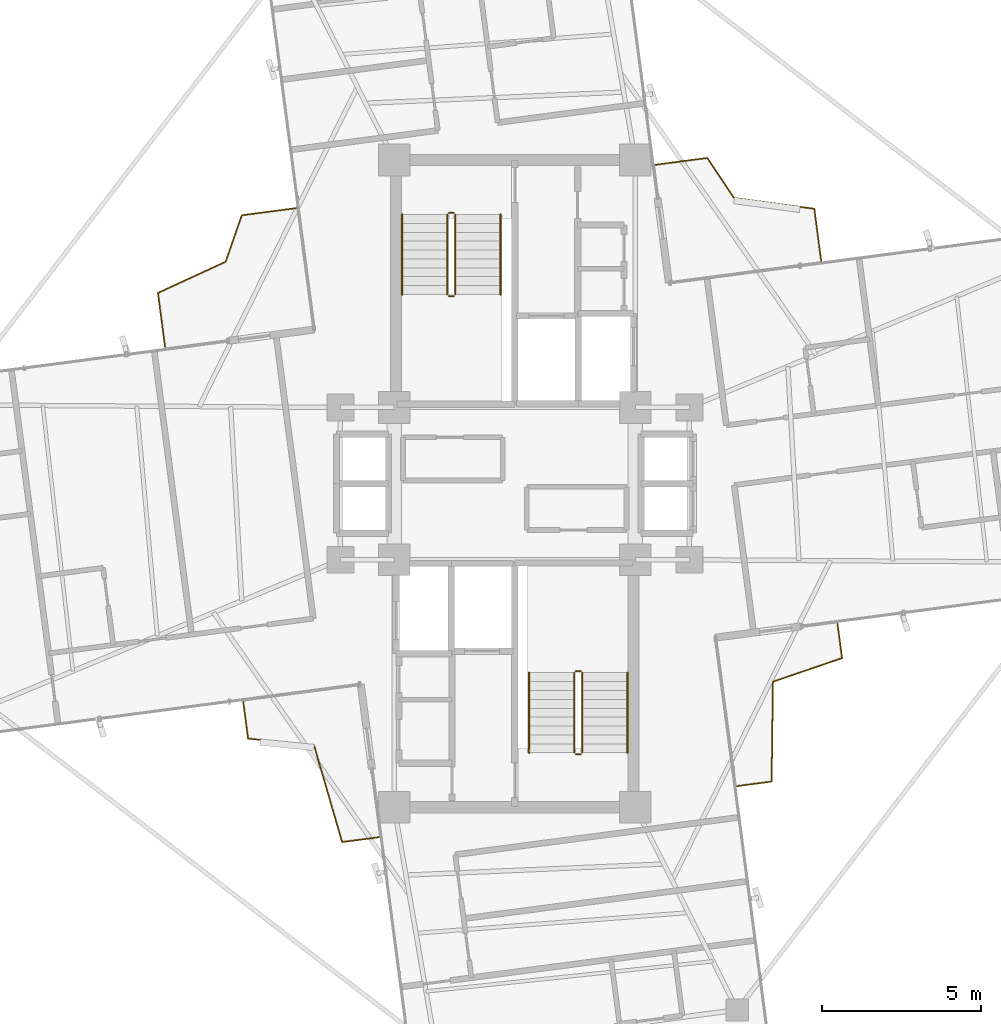
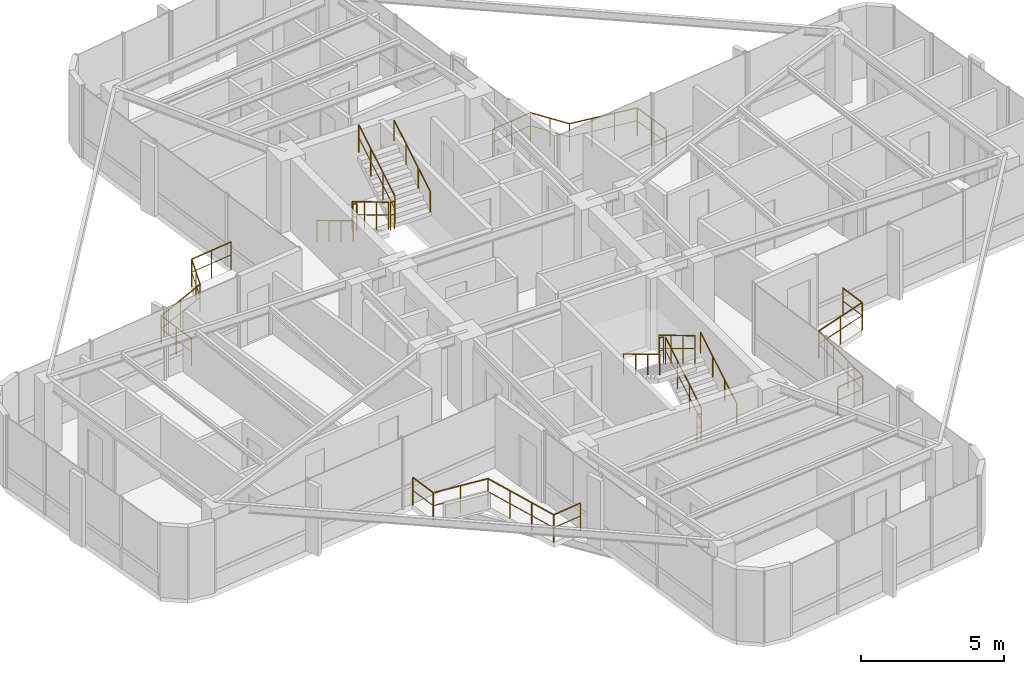
# One storey, part 23 of 23: 16 railings.
"""IFC4 building model written with IfcOpenShell, lengths in metres."""

from ifc_helpers import new_model, si_unit, direction, frame, origin, origin_2d, place, context, subcontext, project, spatial, circle, extrude, material, type_object, element, save


model = new_model("IFC4")

# Units and contexts
model_context = context("Model", 3, precision=1e-05, world=origin(), true_north=direction((0.0, 1.0)))
body_context = subcontext(model_context, "Body", "Model", "MODEL_VIEW")
ifc_project = project(units=[si_unit("LENGTHUNIT", "METRE"), si_unit("AREAUNIT", "SQUARE_METRE"), si_unit("VOLUMEUNIT", "CUBIC_METRE"), si_unit("PLANEANGLEUNIT", "RADIAN"), si_unit("MASSUNIT", "GRAM", prefix="KILO")], contexts=[model_context])

# Site, building, storey
site_placement = place(None, origin())
site = spatial("IfcSite", under=ifc_project, at=site_placement, CompositionType="ELEMENT")
building_placement = place(site_placement, origin())
building = spatial("IfcBuilding", under=site, at=building_placement, Name="Sahyath Konkavel Grand Hotel", CompositionType="ELEMENT")
storey_placement = place(building_placement, frame((0.0, 0.0, 226.60009765625)))
storey = spatial("IfcBuildingStorey", under=building, at=storey_placement, Name="L63", CompositionType="ELEMENT", Elevation=226.60009765625)

# Railings
ifc_material_1 = material(Name="Anodised Bronze Aluminium", Category="aluminium")
railing_type_1 = type_object("IfcRailingType", Name="RLG-BALC-1200", PredefinedType="GUARDRAIL", material=ifc_material_1)
railing_1_placement = place(storey_placement, frame((9.657470703125, 7.0185546875, 0.0)))
element("IfcRailing", 1, at=railing_1_placement, inside=storey, type_object=railing_type_1, Name="L63 Winter-Garden Guard NE", PredefinedType="GUARDRAIL", context=body_context, shape_type="SweptSolid", body=[
    extrude(circle(Radius=0.02392578125, at=origin_2d()), frame((-0.000244140625, 0.001953125, 1.17578125), z_axis=(-0.130553503913, 0.991441265339, 0.0), x_axis=(-0.991441265339, -0.130553503913, 0.0)), (0.0, 0.0, 1.0), 1.65478515625),
    extrude(circle(Radius=0.01416015625, at=origin_2d()), frame((-0.000244140625, 0.001953125, 0.6240234375), z_axis=(-0.130553503913, 0.991441265339, 0.0), x_axis=(-0.991441265339, -0.130553503913, 0.0)), (0.0, 0.0, 1.0), 1.65478515625),
    extrude(circle(Radius=0.02392578125, at=origin_2d()), frame((-0.218505859375, 1.644775390625, 1.17578125), z_axis=(-0.991061876486, 0.133402987135, 0.0), x_axis=(-0.133402987135, -0.991061876486, 0.0)), (0.0, 0.0, 1.0), 2.55078125),
    extrude(circle(Radius=0.01416015625, at=origin_2d()), frame((-0.218505859375, 1.644775390625, 0.6240234375), z_axis=(-0.991061876486, 0.133402987135, 0.0), x_axis=(-0.133402987135, -0.991061876486, 0.0)), (0.0, 0.0, 1.0), 2.55078125),
    extrude(circle(Radius=0.02392578125, at=origin_2d()), frame((-2.749755859375, 1.987060546875, 1.17578125), z_axis=(-0.554551467532, 0.832149427602, 0.0), x_axis=(-0.832149427602, -0.554551467532, 0.0)), (0.0, 0.0, 1.0), 1.51123046875),
    extrude(circle(Radius=0.01416015625, at=origin_2d()), frame((-2.749755859375, 1.987060546875, 0.6240234375), z_axis=(-0.554551467532, 0.832149427602, 0.0), x_axis=(-0.832149427602, -0.554551467532, 0.0)), (0.0, 0.0, 1.0), 1.51123046875),
    extrude(circle(Radius=0.02392578125, at=origin_2d()), frame((-3.5908203125, 3.24609375, 1.17578125), z_axis=(-0.991438756128, -0.130572557786, 0.0), x_axis=(0.130572557786, -0.991438756128, 0.0)), (0.0, 0.0, 1.0), 1.654541015625),
    extrude(circle(Radius=0.01416015625, at=origin_2d()), frame((-3.5908203125, 3.24609375, 0.6240234375), z_axis=(-0.991438756128, -0.130572557786, 0.0), x_axis=(0.130572557786, -0.991438756128, 0.0)), (0.0, 0.0, 1.0), 1.654541015625),
    extrude(circle(Radius=0.02099609375, at=origin_2d()), origin(), (0.0, 0.0, 1.0), 1.15185546875),
    extrude(circle(Radius=0.02099609375, at=origin_2d()), frame((-0.1083984375, 0.822265625, 0.0)), (0.0, 0.0, 1.0), 1.15185546875),
    extrude(circle(Radius=0.02099609375, at=origin_2d()), frame((-0.216552734375, 1.64453125, 0.0)), (0.0, 0.0, 1.0), 1.15185546875),
    extrude(circle(Radius=0.02099609375, at=origin_2d()), frame((-1.060546875, 1.758056640625, 0.0)), (0.0, 0.0, 1.0), 1.15185546875),
    extrude(circle(Radius=0.02099609375, at=origin_2d()), frame((-1.904541015625, 1.871826171875, 0.0)), (0.0, 0.0, 1.0), 1.15185546875),
    extrude(circle(Radius=0.02099609375, at=origin_2d()), frame((-2.74853515625, 1.9853515625, 0.0)), (0.0, 0.0, 1.0), 1.15185546875),
    extrude(circle(Radius=0.02099609375, at=origin_2d()), frame((-3.168701171875, 2.61572265625, 0.0)), (0.0, 0.0, 1.0), 1.15185546875),
    extrude(circle(Radius=0.02099609375, at=origin_2d()), frame((-3.5888671875, 3.246337890625, 0.0)), (0.0, 0.0, 1.0), 1.15185546875),
    extrude(circle(Radius=0.02099609375, at=origin_2d()), frame((-4.4111328125, 3.13818359375, 0.0)), (0.0, 0.0, 1.0), 1.15185546875),
    extrude(circle(Radius=0.02099609375, at=origin_2d()), frame((-5.233154296875, 3.02978515625, 0.0)), (0.0, 0.0, 1.0), 1.15185546875),
])
railing_2_placement = place(storey_placement, frame((-6.890380859375, 8.683837890625, 0.0)))
element("IfcRailing", 2, at=railing_2_placement, inside=storey, type_object=railing_type_1, Name="L63 Winter-Garden Guard NW", PredefinedType="GUARDRAIL", context=body_context, shape_type="SweptSolid", body=[
    extrude(circle(Radius=0.02392578125, at=origin_2d()), frame((-0.001953125, -0.000244140625, 1.17578125), z_axis=(-0.991453334369, -0.130461817282, 0.0), x_axis=(0.130461817282, -0.991453334369, 0.0)), (0.0, 0.0, 1.0), 1.72509765625),
    extrude(circle(Radius=0.01416015625, at=origin_2d()), frame((-0.001953125, -0.000244140625, 0.6240234375), z_axis=(-0.991453334369, -0.130461817282, 0.0), x_axis=(0.130461817282, -0.991453334369, 0.0)), (0.0, 0.0, 1.0), 1.72509765625),
    extrude(circle(Radius=0.02392578125, at=origin_2d()), frame((-1.715087890625, -0.2275390625, 1.17578125), z_axis=(-0.328197028697, -0.944609289788, 0.0), x_axis=(0.944609289788, -0.328197028697, 0.0)), (0.0, 0.0, 1.0), 1.547119140625),
    extrude(circle(Radius=0.01416015625, at=origin_2d()), frame((-1.715087890625, -0.2275390625, 0.6240234375), z_axis=(-0.328197028697, -0.944609289788, 0.0), x_axis=(0.944609289788, -0.328197028697, 0.0)), (0.0, 0.0, 1.0), 1.547119140625),
    extrude(circle(Radius=0.02392578125, at=origin_2d()), frame((-2.22509765625, -1.69140625, 1.17578125), z_axis=(-0.908327047997, -0.418260653036, 0.0), x_axis=(0.418260653036, -0.908327047997, 0.0)), (0.0, 0.0, 1.0), 2.345458984375),
    extrude(circle(Radius=0.01416015625, at=origin_2d()), frame((-2.22509765625, -1.69140625, 0.6240234375), z_axis=(-0.908327047997, -0.418260653036, 0.0), x_axis=(0.418260653036, -0.908327047997, 0.0)), (0.0, 0.0, 1.0), 2.345458984375),
    extrude(circle(Radius=0.02392578125, at=origin_2d()), frame((-4.357177734375, -2.67529296875, 1.17578125), z_axis=(0.130600602754, -0.9914350622, 0.0), x_axis=(0.9914350622, 0.130600602754, 0.0)), (0.0, 0.0, 1.0), 1.72509765625),
    extrude(circle(Radius=0.01416015625, at=origin_2d()), frame((-4.357177734375, -2.67529296875, 0.6240234375), z_axis=(0.130600602754, -0.9914350622, 0.0), x_axis=(0.9914350622, 0.130600602754, 0.0)), (0.0, 0.0, 1.0), 1.72509765625),
    extrude(circle(Radius=0.02099609375, at=origin_2d()), origin(), (0.0, 0.0, 1.0), 1.15185546875),
    extrude(circle(Radius=0.02099609375, at=origin_2d()), frame((-0.857177734375, -0.11279296875, 0.0)), (0.0, 0.0, 1.0), 1.15185546875),
    extrude(circle(Radius=0.02099609375, at=origin_2d()), frame((-1.71435546875, -0.2255859375, 0.0)), (0.0, 0.0, 1.0), 1.15185546875),
    extrude(circle(Radius=0.02099609375, at=origin_2d()), frame((-1.96875, -0.9580078125, 0.0)), (0.0, 0.0, 1.0), 1.15185546875),
    extrude(circle(Radius=0.02099609375, at=origin_2d()), frame((-2.223388671875, -1.690673828125, 0.0)), (0.0, 0.0, 1.0), 1.15185546875),
    extrude(circle(Radius=0.02099609375, at=origin_2d()), frame((-3.29052734375, -2.18212890625, 0.0)), (0.0, 0.0, 1.0), 1.15185546875),
    extrude(circle(Radius=0.02099609375, at=origin_2d()), frame((-4.357421875, -2.67333984375, 0.0)), (0.0, 0.0, 1.0), 1.15185546875),
    extrude(circle(Radius=0.02099609375, at=origin_2d()), frame((-4.24462890625, -3.530517578125, 0.0)), (0.0, 0.0, 1.0), 1.15185546875),
    extrude(circle(Radius=0.02099609375, at=origin_2d()), frame((-4.131591796875, -4.3876953125, 0.0)), (0.0, 0.0, 1.0), 1.15185546875),
])
railing_3_placement = place(storey_placement, frame((-8.56103515625, -6.874267578125, 0.0)))
element("IfcRailing", 3, at=railing_3_placement, inside=storey, type_object=railing_type_1, Name="L63 Winter-Garden Guard SW", PredefinedType="GUARDRAIL", context=body_context, shape_type="SweptSolid", body=[
    extrude(circle(Radius=0.02392578125, at=origin_2d()), frame((0.000244140625, -0.001953125, 1.17578125), z_axis=(0.130664415281, -0.99142665416, 0.0), x_axis=(0.99142665416, 0.130664415281, 0.0)), (0.0, 0.0, 1.0), 1.16943359375),
    extrude(circle(Radius=0.01416015625, at=origin_2d()), frame((0.000244140625, -0.001953125, 0.6240234375), z_axis=(0.130664415281, -0.99142665416, 0.0), x_axis=(0.99142665416, 0.130664415281, 0.0)), (0.0, 0.0, 1.0), 1.16943359375),
    extrude(circle(Radius=0.02392578125, at=origin_2d()), frame((0.1552734375, -1.16357421875, 1.17578125), z_axis=(0.994939548748, -0.100475341936, 0.0), x_axis=(0.100475341936, 0.994939548748, 0.0)), (0.0, 0.0, 1.0), 2.085693359375),
    extrude(circle(Radius=0.01416015625, at=origin_2d()), frame((0.1552734375, -1.16357421875, 0.6240234375), z_axis=(0.994939548748, -0.100475341936, 0.0), x_axis=(0.100475341936, 0.994939548748, 0.0)), (0.0, 0.0, 1.0), 2.085693359375),
    extrude(circle(Radius=0.02392578125, at=origin_2d()), frame((2.23291015625, -1.375244140625, 1.17578125), z_axis=(0.278769035737, -0.960358175221, 0.0), x_axis=(0.960358175221, 0.278769035737, 0.0)), (0.0, 0.0, 1.0), 3.17236328125),
    extrude(circle(Radius=0.01416015625, at=origin_2d()), frame((2.23291015625, -1.375244140625, 0.6240234375), z_axis=(0.278769035737, -0.960358175221, 0.0), x_axis=(0.960358175221, 0.278769035737, 0.0)), (0.0, 0.0, 1.0), 3.17236328125),
    extrude(circle(Radius=0.02392578125, at=origin_2d()), frame((3.119873046875, -4.423583984375, 1.17578125), z_axis=(0.991453587325, 0.130459894911, 0.0), x_axis=(-0.130459894911, 0.991453587325, 0.0)), (0.0, 0.0, 1.0), 1.16943359375),
    extrude(circle(Radius=0.01416015625, at=origin_2d()), frame((3.119873046875, -4.423583984375, 0.6240234375), z_axis=(0.991453587325, 0.130459894911, 0.0), x_axis=(-0.130459894911, 0.991453587325, 0.0)), (0.0, 0.0, 1.0), 1.16943359375),
    extrude(circle(Radius=0.02099609375, at=origin_2d()), origin(), (0.0, 0.0, 1.0), 1.15185546875),
    extrude(circle(Radius=0.02099609375, at=origin_2d()), frame((0.1533203125, -1.163330078125, 0.0)), (0.0, 0.0, 1.0), 1.15185546875),
    extrude(circle(Radius=0.02099609375, at=origin_2d()), frame((1.19287109375, -1.268310546875, 0.0)), (0.0, 0.0, 1.0), 1.15185546875),
    extrude(circle(Radius=0.02099609375, at=origin_2d()), frame((2.232421875, -1.373291015625, 0.0)), (0.0, 0.0, 1.0), 1.15185546875),
    extrude(circle(Radius=0.02099609375, at=origin_2d()), frame((2.527587890625, -2.39013671875, 0.0)), (0.0, 0.0, 1.0), 1.15185546875),
    extrude(circle(Radius=0.02099609375, at=origin_2d()), frame((2.82275390625, -3.406982421875, 0.0)), (0.0, 0.0, 1.0), 1.15185546875),
    extrude(circle(Radius=0.02099609375, at=origin_2d()), frame((3.117919921875, -4.423828125, 0.0)), (0.0, 0.0, 1.0), 1.15185546875),
    extrude(circle(Radius=0.02099609375, at=origin_2d()), frame((4.28125, -4.270751953125, 0.0)), (0.0, 0.0, 1.0), 1.15185546875),
])
railing_4_placement = place(storey_placement, frame((7.00244140625, -9.53466796875, 0.0)))
element("IfcRailing", 4, at=railing_4_placement, inside=storey, type_object=railing_type_1, Name="L63 Winter-Garden Guard SE", PredefinedType="GUARDRAIL", context=body_context, shape_type="SweptSolid", body=[
    extrude(circle(Radius=0.02392578125, at=origin_2d()), frame((0.001953125, 0.000244140625, 1.17578125), z_axis=(0.991431673383, 0.130626325881, 0.0), x_axis=(-0.130626325881, 0.991431673383, 0.0)), (0.0, 0.0, 1.0), 1.0986328125),
    extrude(circle(Radius=0.01416015625, at=origin_2d()), frame((0.001953125, 0.000244140625, 0.6240234375), z_axis=(0.991431673383, 0.130626325881, 0.0), x_axis=(-0.130626325881, 0.991431673383, 0.0)), (0.0, 0.0, 1.0), 1.0986328125),
    extrude(circle(Radius=0.02392578125, at=origin_2d()), frame((1.09326171875, 0.14599609375, 1.17578125), z_axis=(0.013344559643, 0.9999109574, 0.0), x_axis=(-0.9999109574, 0.013344559643, 0.0)), (0.0, 0.0, 1.0), 3.142822265625),
    extrude(circle(Radius=0.01416015625, at=origin_2d()), frame((1.09326171875, 0.14599609375, 0.6240234375), z_axis=(0.013344559643, 0.9999109574, 0.0), x_axis=(-0.9999109574, 0.013344559643, 0.0)), (0.0, 0.0, 1.0), 3.142822265625),
    extrude(circle(Radius=0.02392578125, at=origin_2d()), frame((1.13720703125, 3.291259765625, 1.17578125), z_axis=(0.94646377338, 0.322810045815, 0.0), x_axis=(-0.322810045815, 0.94646377338, 0.0)), (0.0, 0.0, 1.0), 2.296630859375),
    extrude(circle(Radius=0.01416015625, at=origin_2d()), frame((1.13720703125, 3.291259765625, 0.6240234375), z_axis=(0.94646377338, 0.322810045815, 0.0), x_axis=(-0.322810045815, 0.94646377338, 0.0)), (0.0, 0.0, 1.0), 2.296630859375),
    extrude(circle(Radius=0.02392578125, at=origin_2d()), frame((3.3125, 4.03515625, 1.17578125), z_axis=(-0.130408693703, 0.991460323264, 0.0), x_axis=(-0.991460323264, -0.130408693703, 0.0)), (0.0, 0.0, 1.0), 1.0986328125),
    extrude(circle(Radius=0.01416015625, at=origin_2d()), frame((3.3125, 4.03515625, 0.6240234375), z_axis=(-0.130408693703, 0.991460323264, 0.0), x_axis=(-0.991460323264, -0.130408693703, 0.0)), (0.0, 0.0, 1.0), 1.0986328125),
    extrude(circle(Radius=0.02099609375, at=origin_2d()), origin(), (0.0, 0.0, 1.0), 1.15185546875),
    extrude(circle(Radius=0.02099609375, at=origin_2d()), frame((1.09326171875, 0.14404296875, 0.0)), (0.0, 0.0, 1.0), 1.15185546875),
    extrude(circle(Radius=0.02099609375, at=origin_2d()), frame((1.107177734375, 1.19287109375, 0.0)), (0.0, 0.0, 1.0), 1.15185546875),
    extrude(circle(Radius=0.02099609375, at=origin_2d()), frame((1.121337890625, 2.24169921875, 0.0)), (0.0, 0.0, 1.0), 1.15185546875),
    extrude(circle(Radius=0.02099609375, at=origin_2d()), frame((1.13525390625, 3.29052734375, 0.0)), (0.0, 0.0, 1.0), 1.15185546875),
    extrude(circle(Radius=0.02099609375, at=origin_2d()), frame((2.22412109375, 3.661865234375, 0.0)), (0.0, 0.0, 1.0), 1.15185546875),
    extrude(circle(Radius=0.02099609375, at=origin_2d()), frame((3.312744140625, 4.033203125, 0.0)), (0.0, 0.0, 1.0), 1.15185546875),
    extrude(circle(Radius=0.02099609375, at=origin_2d()), frame((3.1689453125, 5.12646484375, 0.0)), (0.0, 0.0, 1.0), 1.15185546875),
])
ifc_material_2 = material(Name="Steel E350", Category="steel")
railing_type_2 = type_object("IfcRailingType", Name="RLG-STAIR-GRD", PredefinedType="GUARDRAIL", material=ifc_material_2)
railing_5_placement = place(storey_placement, frame((-2.1298828125, 8.47998046875, 0.16748046875)))
element("IfcRailing", 5, at=railing_5_placement, inside=storey, type_object=railing_type_2, Name="L63 ST-1 stair guard 1", PredefinedType="GUARDRAIL", context=body_context, shape_type="SweptSolid", body=[
    extrude(circle(Radius=0.02392578125, at=origin_2d()), frame((0.0, -0.001708984375, 1.177001953125), z_axis=(0.0, -0.858196387827, 0.513321497621), x_axis=(1.0, 0.0, 0.0)), (0.0, 0.0, 1.0), 2.932373046875),
    extrude(circle(Radius=0.01416015625, at=origin_2d()), frame((0.0, -0.001708984375, 0.625), z_axis=(0.0, -0.858196387827, 0.513321497621), x_axis=(1.0, 0.0, 0.0)), (0.0, 0.0, 1.0), 2.932373046875),
    extrude(circle(Radius=0.02099609375, at=origin_2d()), origin(), (0.0, 0.0, 1.0), 1.15185546875),
    extrude(circle(Radius=0.02099609375, at=origin_2d()), frame((0.0, -0.840087890625, 0.50244140625)), (0.0, 0.0, 1.0), 1.15185546875),
    extrude(circle(Radius=0.02099609375, at=origin_2d()), frame((0.0, -1.679931640625, 1.0048828125)), (0.0, 0.0, 1.0), 1.15185546875),
    extrude(circle(Radius=0.02099609375, at=origin_2d()), frame((0.0, -2.52001953125, 1.50732421875)), (0.0, 0.0, 1.0), 1.15185546875),
])
railing_6_placement = place(storey_placement, frame((-2.080078125, 5.909912109375, 1.6748046875)))
element("IfcRailing", 6, at=railing_6_placement, inside=storey, type_object=railing_type_2, Name="L63 ST-1 stair guard 2", PredefinedType="GUARDRAIL", context=body_context, shape_type="SweptSolid", body=[
    extrude(circle(Radius=0.02392578125, at=origin_2d()), frame((0.001953125, 0.0, 1.17578125), z_axis=(1.0, 0.0, 0.0), x_axis=(0.0, 1.0, 0.0)), (0.0, 0.0, 1.0), 0.15625),
    extrude(circle(Radius=0.01416015625, at=origin_2d()), frame((0.001953125, 0.0, 0.6240234375), z_axis=(1.0, 0.0, 0.0), x_axis=(0.0, 1.0, 0.0)), (0.0, 0.0, 1.0), 0.15625),
    extrude(circle(Radius=0.02099609375, at=origin_2d()), origin(), (0.0, 0.0, 1.0), 1.15185546875),
    extrude(circle(Radius=0.02099609375, at=origin_2d()), frame((0.16015625, 0.0, 0.0)), (0.0, 0.0, 1.0), 1.15185546875),
])
railing_7_placement = place(storey_placement, frame((-1.8701171875, 5.9599609375, 1.84228515625)))
element("IfcRailing", 7, at=railing_7_placement, inside=storey, type_object=railing_type_2, Name="L63 ST-1 stair guard 3", PredefinedType="GUARDRAIL", context=body_context, shape_type="SweptSolid", body=[
    extrude(circle(Radius=0.02392578125, at=origin_2d()), frame((0.0, 0.001708984375, 1.177001953125), z_axis=(0.0, 0.858159760407, 0.513382728203), x_axis=(-1.0, 0.0, 0.0)), (0.0, 0.0, 1.0), 2.9326171875),
    extrude(circle(Radius=0.01416015625, at=origin_2d()), frame((0.0, 0.001708984375, 0.625), z_axis=(0.0, 0.858159760407, 0.513382728203), x_axis=(-1.0, 0.0, 0.0)), (0.0, 0.0, 1.0), 2.9326171875),
    extrude(circle(Radius=0.02099609375, at=origin_2d()), origin(), (0.0, 0.0, 1.0), 1.15185546875),
    extrude(circle(Radius=0.02099609375, at=origin_2d()), frame((0.0, 0.840087890625, 0.50244140625)), (0.0, 0.0, 1.0), 1.15185546875),
    extrude(circle(Radius=0.02099609375, at=origin_2d()), frame((0.0, 1.679931640625, 1.005126953125)), (0.0, 0.0, 1.0), 1.15185546875),
    extrude(circle(Radius=0.02099609375, at=origin_2d()), frame((0.0, 2.52001953125, 1.507568359375)), (0.0, 0.0, 1.0), 1.15185546875),
])
railing_8_placement = place(storey_placement, frame((-2.080078125, 8.530029296875, 0.0)))
element("IfcRailing", 8, at=railing_8_placement, inside=storey, type_object=railing_type_2, Name="L63 ST-1 stair guard 4", PredefinedType="GUARDRAIL", context=body_context, shape_type="SweptSolid", body=[
    extrude(circle(Radius=0.02392578125, at=origin_2d()), frame((0.001953125, 0.0, 1.17578125), z_axis=(1.0, 0.0, 0.0), x_axis=(0.0, 1.0, 0.0)), (0.0, 0.0, 1.0), 0.15625),
    extrude(circle(Radius=0.01416015625, at=origin_2d()), frame((0.001953125, 0.0, 0.6240234375), z_axis=(1.0, 0.0, 0.0), x_axis=(0.0, 1.0, 0.0)), (0.0, 0.0, 1.0), 0.15625),
    extrude(circle(Radius=0.02099609375, at=origin_2d()), origin(), (0.0, 0.0, 1.0), 1.15185546875),
    extrude(circle(Radius=0.02099609375, at=origin_2d()), frame((0.16015625, 0.0, 0.0)), (0.0, 0.0, 1.0), 1.15185546875),
])
railing_9_placement = place(storey_placement, frame((2.1298828125, -8.47998046875, 0.16748046875)))
element("IfcRailing", 9, at=railing_9_placement, inside=storey, type_object=railing_type_2, Name="L63 ST-2 stair guard 1", PredefinedType="GUARDRAIL", context=body_context, shape_type="SweptSolid", body=[
    extrude(circle(Radius=0.02392578125, at=origin_2d()), frame((0.0, 0.001708984375, 1.177001953125), z_axis=(0.0, 0.858196387827, 0.513321497621), x_axis=(-1.0, 0.0, 0.0)), (0.0, 0.0, 1.0), 2.932373046875),
    extrude(circle(Radius=0.01416015625, at=origin_2d()), frame((0.0, 0.001708984375, 0.625), z_axis=(0.0, 0.858196387827, 0.513321497621), x_axis=(-1.0, 0.0, 0.0)), (0.0, 0.0, 1.0), 2.932373046875),
    extrude(circle(Radius=0.02099609375, at=origin_2d()), origin(), (0.0, 0.0, 1.0), 1.15185546875),
    extrude(circle(Radius=0.02099609375, at=origin_2d()), frame((0.0, 0.840087890625, 0.50244140625)), (0.0, 0.0, 1.0), 1.15185546875),
    extrude(circle(Radius=0.02099609375, at=origin_2d()), frame((0.0, 1.679931640625, 1.0048828125)), (0.0, 0.0, 1.0), 1.15185546875),
    extrude(circle(Radius=0.02099609375, at=origin_2d()), frame((0.0, 2.52001953125, 1.50732421875)), (0.0, 0.0, 1.0), 1.15185546875),
])
railing_10_placement = place(storey_placement, frame((2.080078125, -5.909912109375, 1.6748046875)))
element("IfcRailing", 10, at=railing_10_placement, inside=storey, type_object=railing_type_2, Name="L63 ST-2 stair guard 2", PredefinedType="GUARDRAIL", context=body_context, shape_type="SweptSolid", body=[
    extrude(circle(Radius=0.02392578125, at=origin_2d()), frame((-0.001953125, 0.0, 1.17578125), z_axis=(-1.0, 0.0, 0.0), x_axis=(0.0, -1.0, 0.0)), (0.0, 0.0, 1.0), 0.15625),
    extrude(circle(Radius=0.01416015625, at=origin_2d()), frame((-0.001953125, 0.0, 0.6240234375), z_axis=(-1.0, 0.0, 0.0), x_axis=(0.0, -1.0, 0.0)), (0.0, 0.0, 1.0), 0.15625),
    extrude(circle(Radius=0.02099609375, at=origin_2d()), origin(), (0.0, 0.0, 1.0), 1.15185546875),
    extrude(circle(Radius=0.02099609375, at=origin_2d()), frame((-0.16015625, 0.0, 0.0)), (0.0, 0.0, 1.0), 1.15185546875),
])
railing_11_placement = place(storey_placement, frame((1.8701171875, -5.9599609375, 1.84228515625)))
element("IfcRailing", 11, at=railing_11_placement, inside=storey, type_object=railing_type_2, Name="L63 ST-2 stair guard 3", PredefinedType="GUARDRAIL", context=body_context, shape_type="SweptSolid", body=[
    extrude(circle(Radius=0.02392578125, at=origin_2d()), frame((0.0, -0.001708984375, 1.177001953125), z_axis=(0.0, -0.858159760407, 0.513382728203), x_axis=(1.0, 0.0, 0.0)), (0.0, 0.0, 1.0), 2.9326171875),
    extrude(circle(Radius=0.01416015625, at=origin_2d()), frame((0.0, -0.001708984375, 0.625), z_axis=(0.0, -0.858159760407, 0.513382728203), x_axis=(1.0, 0.0, 0.0)), (0.0, 0.0, 1.0), 2.9326171875),
    extrude(circle(Radius=0.02099609375, at=origin_2d()), origin(), (0.0, 0.0, 1.0), 1.15185546875),
    extrude(circle(Radius=0.02099609375, at=origin_2d()), frame((0.0, -0.840087890625, 0.50244140625)), (0.0, 0.0, 1.0), 1.15185546875),
    extrude(circle(Radius=0.02099609375, at=origin_2d()), frame((0.0, -1.679931640625, 1.005126953125)), (0.0, 0.0, 1.0), 1.15185546875),
    extrude(circle(Radius=0.02099609375, at=origin_2d()), frame((0.0, -2.52001953125, 1.507568359375)), (0.0, 0.0, 1.0), 1.15185546875),
])
railing_12_placement = place(storey_placement, frame((2.080078125, -8.530029296875, 0.0)))
element("IfcRailing", 12, at=railing_12_placement, inside=storey, type_object=railing_type_2, Name="L63 ST-2 stair guard 4", PredefinedType="GUARDRAIL", context=body_context, shape_type="SweptSolid", body=[
    extrude(circle(Radius=0.02392578125, at=origin_2d()), frame((-0.001953125, 0.0, 1.17578125), z_axis=(-1.0, 0.0, 0.0), x_axis=(0.0, -1.0, 0.0)), (0.0, 0.0, 1.0), 0.15625),
    extrude(circle(Radius=0.01416015625, at=origin_2d()), frame((-0.001953125, 0.0, 0.6240234375), z_axis=(-1.0, 0.0, 0.0), x_axis=(0.0, -1.0, 0.0)), (0.0, 0.0, 1.0), 0.15625),
    extrude(circle(Radius=0.02099609375, at=origin_2d()), origin(), (0.0, 0.0, 1.0), 1.15185546875),
    extrude(circle(Radius=0.02099609375, at=origin_2d()), frame((-0.16015625, 0.0, 0.0)), (0.0, 0.0, 1.0), 1.15185546875),
])
railing_type_3 = type_object("IfcRailingType", Name="RLG-STAIR-HND", PredefinedType="HANDRAIL", material=ifc_material_1)
railing_13_placement = place(storey_placement, frame((-3.550048828125, 8.47998046875, 0.16748046875)))
element("IfcRailing", 13, at=railing_13_placement, inside=storey, type_object=railing_type_3, Name="L63 ST-1 stair handrail 1", PredefinedType="HANDRAIL", context=body_context, shape_type="SweptSolid", body=[
    extrude(circle(Radius=0.02392578125, at=origin_2d()), frame((0.0, -0.001708984375, 0.876953125), z_axis=(0.0, -0.858196387827, 0.513321497621), x_axis=(1.0, 0.0, 0.0)), (0.0, 0.0, 1.0), 2.932373046875),
    extrude(circle(Radius=0.02099609375, at=origin_2d()), origin(), (0.0, 0.0, 1.0), 0.851806640625),
    extrude(circle(Radius=0.02099609375, at=origin_2d()), frame((0.0, -0.840087890625, 0.50244140625)), (0.0, 0.0, 1.0), 0.851806640625),
    extrude(circle(Radius=0.02099609375, at=origin_2d()), frame((0.0, -1.679931640625, 1.0048828125)), (0.0, 0.0, 1.0), 0.851806640625),
    extrude(circle(Radius=0.02099609375, at=origin_2d()), frame((0.0, -2.52001953125, 1.50732421875)), (0.0, 0.0, 1.0), 0.851806640625),
])
railing_14_placement = place(storey_placement, frame((-0.449951171875, 5.9599609375, 1.84228515625)))
element("IfcRailing", 14, at=railing_14_placement, inside=storey, type_object=railing_type_3, Name="L63 ST-1 stair handrail 2", PredefinedType="HANDRAIL", context=body_context, shape_type="SweptSolid", body=[
    extrude(circle(Radius=0.02392578125, at=origin_2d()), frame((0.0, 0.001708984375, 0.876953125), z_axis=(0.0, 0.858159760407, 0.513382728203), x_axis=(-1.0, 0.0, 0.0)), (0.0, 0.0, 1.0), 2.9326171875),
    extrude(circle(Radius=0.02099609375, at=origin_2d()), origin(), (0.0, 0.0, 1.0), 0.851806640625),
    extrude(circle(Radius=0.02099609375, at=origin_2d()), frame((0.0, 0.840087890625, 0.50244140625)), (0.0, 0.0, 1.0), 0.851806640625),
    extrude(circle(Radius=0.02099609375, at=origin_2d()), frame((0.0, 1.679931640625, 1.005126953125)), (0.0, 0.0, 1.0), 0.851806640625),
    extrude(circle(Radius=0.02099609375, at=origin_2d()), frame((0.0, 2.52001953125, 1.507568359375)), (0.0, 0.0, 1.0), 0.851806640625),
])
railing_15_placement = place(storey_placement, frame((3.550048828125, -8.47998046875, 0.16748046875)))
element("IfcRailing", 15, at=railing_15_placement, inside=storey, type_object=railing_type_3, Name="L63 ST-2 stair handrail 1", PredefinedType="HANDRAIL", context=body_context, shape_type="SweptSolid", body=[
    extrude(circle(Radius=0.02392578125, at=origin_2d()), frame((0.0, 0.001708984375, 0.876953125), z_axis=(0.0, 0.858196387827, 0.513321497621), x_axis=(-1.0, 0.0, 0.0)), (0.0, 0.0, 1.0), 2.932373046875),
    extrude(circle(Radius=0.02099609375, at=origin_2d()), origin(), (0.0, 0.0, 1.0), 0.851806640625),
    extrude(circle(Radius=0.02099609375, at=origin_2d()), frame((0.0, 0.840087890625, 0.50244140625)), (0.0, 0.0, 1.0), 0.851806640625),
    extrude(circle(Radius=0.02099609375, at=origin_2d()), frame((0.0, 1.679931640625, 1.0048828125)), (0.0, 0.0, 1.0), 0.851806640625),
    extrude(circle(Radius=0.02099609375, at=origin_2d()), frame((0.0, 2.52001953125, 1.50732421875)), (0.0, 0.0, 1.0), 0.851806640625),
])
railing_16_placement = place(storey_placement, frame((0.449951171875, -5.9599609375, 1.84228515625)))
element("IfcRailing", 16, at=railing_16_placement, inside=storey, type_object=railing_type_3, Name="L63 ST-2 stair handrail 2", PredefinedType="HANDRAIL", context=body_context, shape_type="SweptSolid", body=[
    extrude(circle(Radius=0.02392578125, at=origin_2d()), frame((0.0, -0.001708984375, 0.876953125), z_axis=(0.0, -0.858159760407, 0.513382728203), x_axis=(1.0, 0.0, 0.0)), (0.0, 0.0, 1.0), 2.9326171875),
    extrude(circle(Radius=0.02099609375, at=origin_2d()), origin(), (0.0, 0.0, 1.0), 0.851806640625),
    extrude(circle(Radius=0.02099609375, at=origin_2d()), frame((0.0, -0.840087890625, 0.50244140625)), (0.0, 0.0, 1.0), 0.851806640625),
    extrude(circle(Radius=0.02099609375, at=origin_2d()), frame((0.0, -1.679931640625, 1.005126953125)), (0.0, 0.0, 1.0), 0.851806640625),
    extrude(circle(Radius=0.02099609375, at=origin_2d()), frame((0.0, -2.52001953125, 1.507568359375)), (0.0, 0.0, 1.0), 0.851806640625),
])

save(model, "model.ifc")
